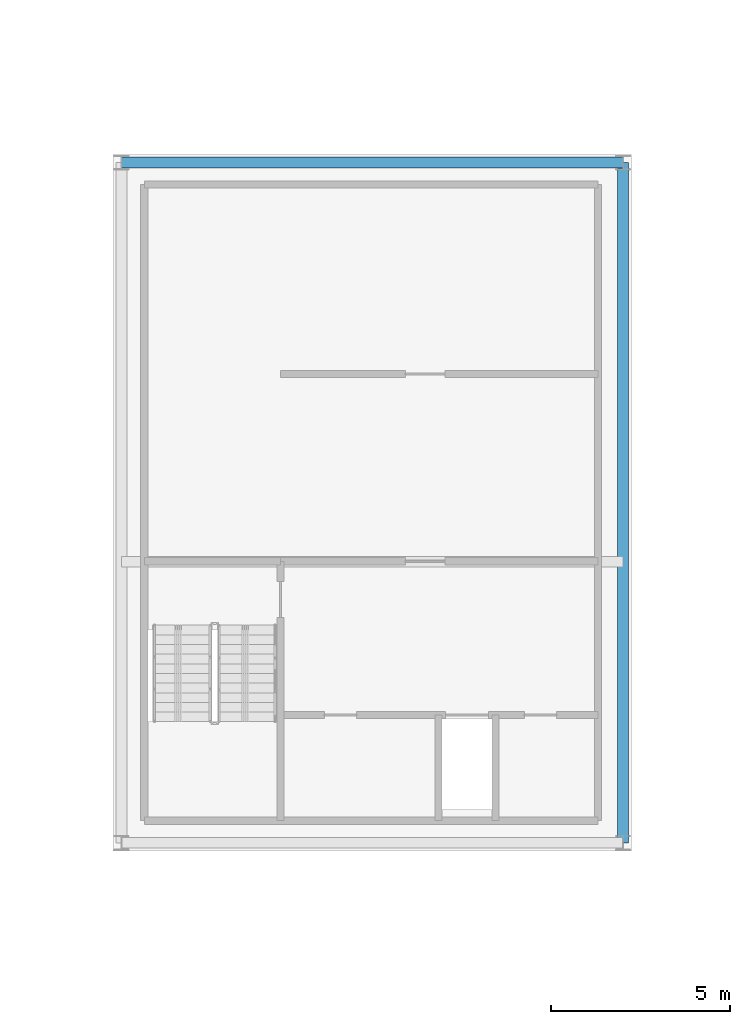
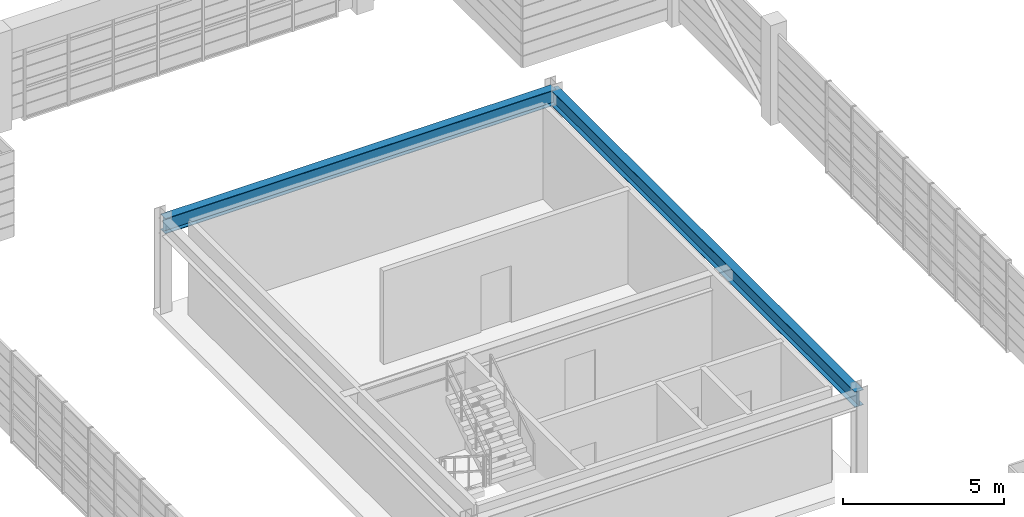
# One storey, part 10 of 21: 2 beams.
"""IFC4 building model written with IfcOpenShell, lengths in metres."""

from ifc_helpers import new_model, si_unit, direction, frame, origin, origin_2d, place, context, subcontext, project, spatial, i_section, extrude, source, transform, mapped, material, material_profile, profile_set, type_object, element, save


model = new_model("IFC4")

# Units and contexts
model_context = context("Model", 3, precision=1e-05, world=origin(), true_north=direction((0.0, 1.0)))
body_context = subcontext(model_context, "Body", "Model", "MODEL_VIEW")
ifc_project = project(units=[si_unit("LENGTHUNIT", "METRE"), si_unit("AREAUNIT", "SQUARE_METRE"), si_unit("VOLUMEUNIT", "CUBIC_METRE"), si_unit("PLANEANGLEUNIT", "RADIAN"), si_unit("MASSUNIT", "GRAM", prefix="KILO")], contexts=[model_context])

# Site, building, storey
site_placement = place(None, origin())
site = spatial("IfcSite", under=ifc_project, at=site_placement, CompositionType="ELEMENT")
building_placement = place(site_placement, origin())
building = spatial("IfcBuilding", under=site, at=building_placement, Name="Saelheon Loggia Tower", CompositionType="ELEMENT")
storey_placement = place(building_placement, frame((0.0, 0.0, 267.39990234375)))
storey = spatial("IfcBuildingStorey", under=building, at=storey_placement, Name="CR5", CompositionType="ELEMENT", Elevation=267.39990234375)

# Beams
ifc_material = material(Name="Steel SM355", Category="steel")
ifc_material_profile = material_profile(ifc_material, i_section(OverallWidth=0.300048828125, OverallDepth=0.587890625, WebThickness=0.011962890625, FlangeThickness=0.02001953125, at=origin_2d()), Name="H-588x300x12x20")
ifc_profile_set = profile_set([ifc_material_profile], Name="Steel SM355")
beam_type = type_object("IfcBeamType", Name="Beam_Girder_Steel_H588", PredefinedType="BEAM", material=ifc_profile_set)
shared_shape_1 = source(origin(), body_context, "Body", "SweptSolid", [
    extrude(i_section(OverallWidth=0.300048828125, OverallDepth=0.587890625, WebThickness=0.011962890625, FlangeThickness=0.02001953125, at=origin_2d()), origin(), (0.0, 0.0, 1.0), 14.0400390625),
])
beam_1_placement = place(storey_placement, frame((30.97998046875, 36.52001953125, 3.256103515625), z_axis=(1.0, 0.0, 0.0), x_axis=(0.0, 1.0, 0.0)))
element("IfcBeam", 1, at=beam_1_placement, inside=storey, type_object=beam_type, Name="BM-CR5-PL-N", PredefinedType="BEAM", context=body_context, shape_type="MappedRepresentation", body=[
    mapped(shared_shape_1, transform((0.0, 0.0, 0.0), scale=1.0)),
])
shared_shape_2 = source(origin(), body_context, "Body", "SweptSolid", [
    extrude(i_section(OverallWidth=0.300048828125, OverallDepth=0.587890625, WebThickness=0.011962890625, FlangeThickness=0.02001953125, at=origin_2d()), origin(), (0.0, 0.0, 1.0), 19.0400390625),
])
beam_2_placement = place(storey_placement, frame((45.02001953125, 17.47998046875, 3.256103515625), z_axis=(0.0, 1.0, 0.0), x_axis=(-1.0, 0.0, 0.0)))
element("IfcBeam", 2, at=beam_2_placement, inside=storey, type_object=beam_type, Name="BM-CR5-PL-E", PredefinedType="BEAM", context=body_context, shape_type="MappedRepresentation", body=[
    mapped(shared_shape_2, transform((0.0, 0.0, 0.0), scale=1.0)),
])

save(model, "model.ifc")
